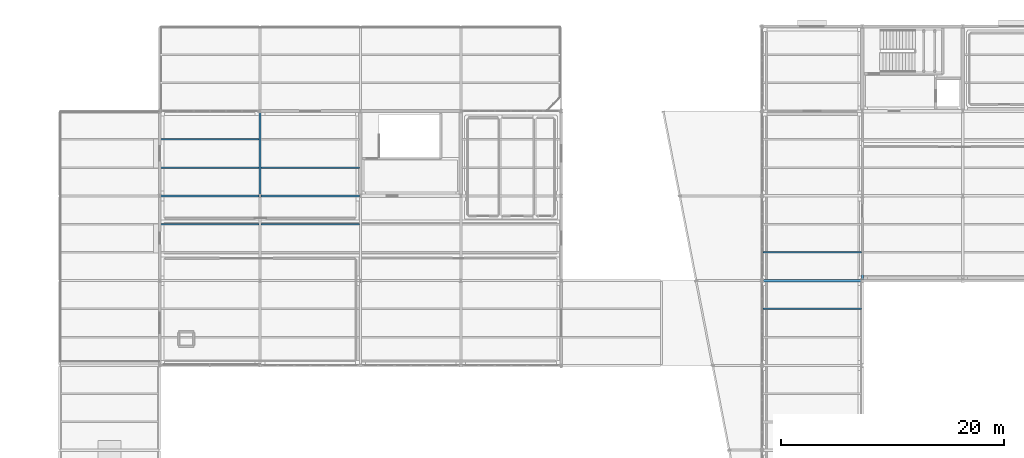
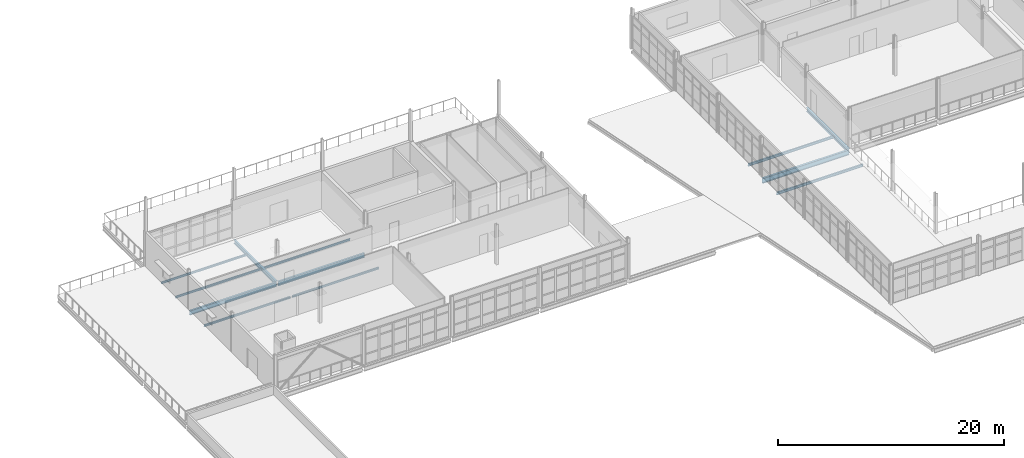
# One storey, part 46 of 96: 12 beams.
"""IFC4 building model written with IfcOpenShell, lengths in metres."""

from ifc_helpers import new_model, si_unit, direction, frame, origin, origin_2d, place, context, subcontext, project, spatial, i_section, extrude, material, material_profile, profile_set, type_object, element, save


model = new_model("IFC4")

# Units and contexts
model_context = context("Model", 3, precision=1e-05, world=origin(), true_north=direction((0.0, 1.0)))
body_context = subcontext(model_context, "Body", "Model", "MODEL_VIEW")
ifc_project = project(units=[si_unit("LENGTHUNIT", "METRE"), si_unit("AREAUNIT", "SQUARE_METRE"), si_unit("VOLUMEUNIT", "CUBIC_METRE"), si_unit("PLANEANGLEUNIT", "RADIAN"), si_unit("MASSUNIT", "GRAM", prefix="KILO")], contexts=[model_context])

# Site, building, storey
site_placement = place(None, origin())
site = spatial("IfcSite", under=ifc_project, at=site_placement, CompositionType="ELEMENT")
building_placement = place(site_placement, origin())
building = spatial("IfcBuilding", under=site, at=building_placement, Name="Caisbarro Railhouse Central Library", CompositionType="ELEMENT")
storey_placement = place(building_placement, frame((0.0, 0.0, 13.679931640625)))
storey = spatial("IfcBuildingStorey", under=building, at=storey_placement, Name="L03", CompositionType="ELEMENT", Elevation=13.679931640625)

# Beams
ifc_material = material(Name="Steel ASTM A572 Grade 50", Category="steel")
ifc_material_profile_1 = material_profile(ifc_material, i_section(OverallWidth=0.208984375, OverallDepth=0.532958984375, WebThickness=0.01025390625, FlangeThickness=0.015625, FilletRadius=0.02001953125, at=origin_2d()), Name="W530X92.0")
ifc_profile_set_1 = profile_set([ifc_material_profile_1], Name="Steel ASTM A572 Grade 50")
beam_type_1 = type_object("IfcBeamType", Name="BM-G06", PredefinedType="BEAM", material=ifc_profile_set_1)
beam_1_placement = place(storey_placement, frame((117.080078125, 91.199951171875, -0.486328125), z_axis=(1.0, 0.0, 0.0), x_axis=(0.0, 1.0, 0.0)))
element("IfcBeam", 1, at=beam_1_placement, inside=storey, type_object=beam_type_1, Name="G06 beam L03 #1865", PredefinedType="BEAM", context=body_context, shape_type="SweptSolid", body=[
    extrude(i_section(OverallWidth=0.208984375, OverallDepth=0.532958984375, WebThickness=0.01025390625, FlangeThickness=0.015625, FilletRadius=0.02001953125, at=origin_2d()), origin(), (0.0, 0.0, 1.0), 8.83984375),
])
ifc_material_profile_2 = material_profile(ifc_material, i_section(OverallWidth=0.18994140625, OverallDepth=0.45703125, WebThickness=0.009033203125, FlangeThickness=0.014404296875, FilletRadius=0.01806640625, at=origin_2d()), Name="W460X74.0")
ifc_profile_set_2 = profile_set([ifc_material_profile_2], Name="Steel ASTM A572 Grade 50")
beam_type_2 = type_object("IfcBeamType", Name="BM-G08", PredefinedType="BEAM", material=ifc_profile_set_2)
beam_2_placement = place(storey_placement, frame((126.0, 91.280029296875, -0.448486328125), z_axis=(0.0, 1.0, 0.0), x_axis=(-1.0, 0.0, 0.0)))
element("IfcBeam", 2, at=beam_2_placement, inside=storey, type_object=beam_type_2, Name="G08 beam L03 #1890", PredefinedType="BEAM", context=body_context, shape_type="SweptSolid", body=[
    extrude(i_section(OverallWidth=0.18994140625, OverallDepth=0.45703125, WebThickness=0.009033203125, FlangeThickness=0.014404296875, FilletRadius=0.01806640625, at=origin_2d()), origin(), (0.0, 0.0, 1.0), 7.43994140625),
])
for number, where, z_axis, x_axis, name in (
    (3, (63.080078125, 98.800048828125, -0.428466796875), (1.0, 0.0, 0.0), (0.0, 1.0, 0.0), "G08 beam L03 #1974"),
    (4, (72.080078125, 98.800048828125, -0.428466796875), (1.0, 0.0, 0.0), (0.0, 1.0, 0.0), "G08 beam L03 #1975"),
):
    element("IfcBeam", number, at=place(storey_placement, frame(where, z_axis=z_axis, x_axis=x_axis)), inside=storey, type_object=beam_type_2, Name=name, PredefinedType="BEAM", context=body_context, shape_type="SweptSolid", body=[
        extrude(i_section(OverallWidth=0.18994140625, OverallDepth=0.45703125, WebThickness=0.009033203125, FlangeThickness=0.014404296875, FilletRadius=0.01806640625, at=origin_2d()), origin(), (0.0, 0.0, 1.0), 8.83984375),
    ])
ifc_material_profile_3 = material_profile(ifc_material, i_section(OverallWidth=0.177978515625, OverallDepth=0.406982421875, WebThickness=0.0078125, FlangeThickness=0.0126953125, FilletRadius=0.01611328125, at=origin_2d()), Name="W410X60.0")
ifc_profile_set_3 = profile_set([ifc_material_profile_3], Name="Steel ASTM A572 Grade 50")
beam_type_3 = type_object("IfcBeamType", Name="BM-G10", PredefinedType="BEAM", material=ifc_profile_set_3)
beam_3_placement = place(storey_placement, frame((72.0, 98.8798828125, -0.4033203125), z_axis=(0.0, 1.0, 0.0), x_axis=(-1.0, 0.0, 0.0)))
element("IfcBeam", 5, at=beam_3_placement, inside=storey, type_object=beam_type_3, Name="G10 beam L03 #1983", PredefinedType="BEAM", context=body_context, shape_type="SweptSolid", body=[
    extrude(i_section(OverallWidth=0.177978515625, OverallDepth=0.406982421875, WebThickness=0.0078125, FlangeThickness=0.0126953125, FilletRadius=0.01611328125, at=origin_2d()), origin(), (0.0, 0.0, 1.0), 7.440185546875),
])
ifc_material_profile_4 = material_profile(ifc_material, i_section(OverallWidth=0.14794921875, OverallDepth=0.26611328125, WebThickness=0.007568359375, FlangeThickness=0.012939453125, FilletRadius=0.010009765625, at=origin_2d()), Name="W250X44.8")
ifc_profile_set_4 = profile_set([ifc_material_profile_4], Name="Steel ASTM A572 Grade 50")
beam_type_4 = type_object("IfcBeamType", Name="BM-J04", PredefinedType="JOIST", material=ifc_profile_set_4)
for number, where, z_axis, x_axis, name in (
    (6, (117.10009765625, 88.666748046875, -0.35302734375), (1.0, 0.0, 0.0), (0.0, 1.0, 0.0), "J04 beam L03 #1914"),
    (7, (117.10009765625, 93.7333984375, -0.35302734375), (1.0, 0.0, 0.0), (0.0, 1.0, 0.0), "J04 beam L03 #1915"),
):
    element("IfcBeam", number, at=place(storey_placement, frame(where, z_axis=z_axis, x_axis=x_axis)), inside=storey, type_object=beam_type_4, Name=name, PredefinedType="JOIST", context=body_context, shape_type="SweptSolid", body=[
        extrude(i_section(OverallWidth=0.14794921875, OverallDepth=0.26611328125, WebThickness=0.007568359375, FlangeThickness=0.012939453125, FilletRadius=0.010009765625, at=origin_2d()), origin(), (0.0, 0.0, 1.0), 8.804931640625),
    ])
ifc_material_profile_5 = material_profile(ifc_material, i_section(OverallWidth=0.133056640625, OverallDepth=0.20703125, WebThickness=0.005859375, FlangeThickness=0.00830078125, FilletRadius=0.010009765625, at=origin_2d()), Name="W200X26.6")
ifc_profile_set_5 = profile_set([ifc_material_profile_5], Name="Steel ASTM A572 Grade 50")
beam_type_5 = type_object("IfcBeamType", Name="BM-J07", PredefinedType="JOIST", material=ifc_profile_set_5)
for number, where, z_axis, x_axis, name in (
    (8, (63.089111328125, 96.2666015625, -0.303466796875), (1.0, 0.0, 0.0), (0.0, 1.0, 0.0), "J07 beam L03 #1996"),
    (9, (63.089111328125, 101.333251953125, -0.303466796875), (1.0, 0.0, 0.0), (0.0, 1.0, 0.0), "J07 beam L03 #1997"),
    (10, (63.089111328125, 103.86669921875, -0.303466796875), (1.0, 0.0, 0.0), (0.0, 1.0, 0.0), "J07 beam L03 #1998"),
    (11, (72.089111328125, 96.2666015625, -0.303466796875), (1.0, 0.0, 0.0), (0.0, 1.0, 0.0), "J07 beam L03 #2002"),
    (12, (72.089111328125, 101.333251953125, -0.303466796875), (1.0, 0.0, 0.0), (0.0, 1.0, 0.0), "J07 beam L03 #2003"),
):
    element("IfcBeam", number, at=place(storey_placement, frame(where, z_axis=z_axis, x_axis=x_axis)), inside=storey, type_object=beam_type_5, Name=name, PredefinedType="JOIST", context=body_context, shape_type="SweptSolid", body=[
        extrude(i_section(OverallWidth=0.133056640625, OverallDepth=0.20703125, WebThickness=0.005859375, FlangeThickness=0.00830078125, FilletRadius=0.010009765625, at=origin_2d()), origin(), (0.0, 0.0, 1.0), 8.82177734375),
    ])

save(model, "model.ifc")
